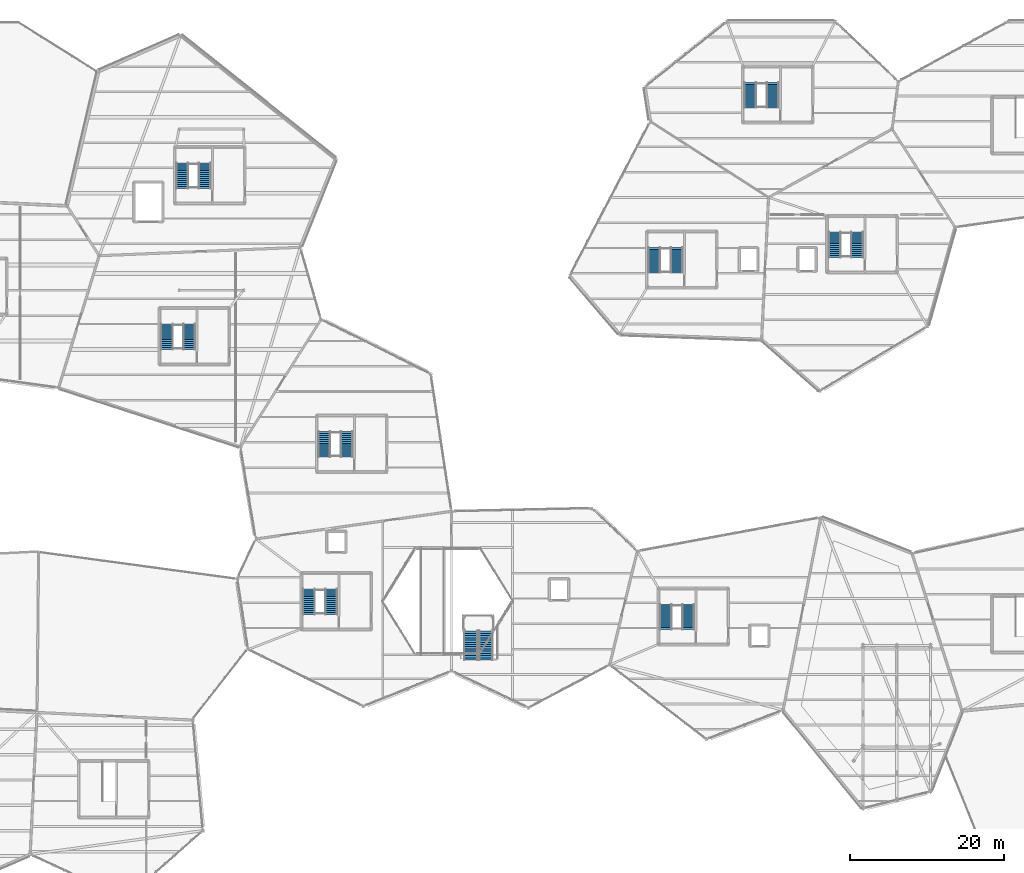
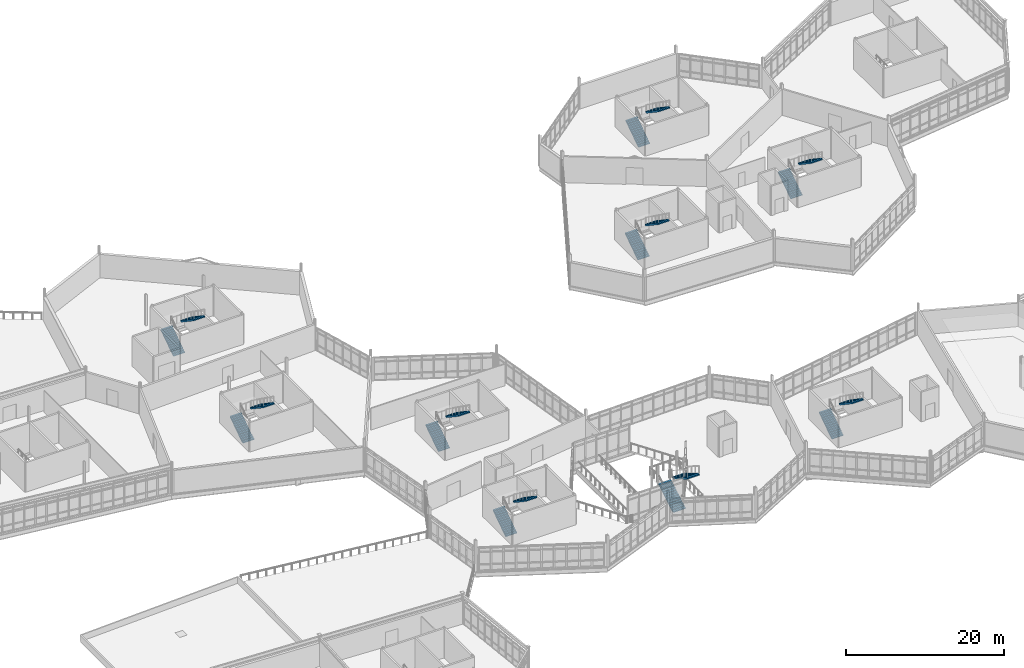
# One storey, part 100 of 114: 18 stair flights, 9 elements without a shape of their own.
"""IFC4 building model written with IfcOpenShell, lengths in metres."""

from ifc_helpers import new_model, si_unit, direction, frame, origin, place, context, subcontext, project, spatial, polyline, outline, extrude, material, type_object, element, aggregate, save


model = new_model("IFC4")

# Units and contexts
model_context = context("Model", 3, precision=1e-05, world=origin(), true_north=direction((0.0, 1.0)))
body_context = subcontext(model_context, "Body", "Model", "MODEL_VIEW")
ifc_project = project(units=[si_unit("LENGTHUNIT", "METRE"), si_unit("AREAUNIT", "SQUARE_METRE"), si_unit("VOLUMEUNIT", "CUBIC_METRE"), si_unit("PLANEANGLEUNIT", "RADIAN"), si_unit("MASSUNIT", "GRAM", prefix="KILO")], contexts=[model_context])

# Site, building, storey
site_placement = place(None, origin())
site = spatial("IfcSite", under=ifc_project, at=site_placement, CompositionType="ELEMENT")
building_placement = place(site_placement, origin())
building = spatial("IfcBuilding", under=site, at=building_placement, Name="Tameran Prism Museum", CompositionType="ELEMENT")
storey_placement = place(building_placement, frame((0.0, 0.0, 10.199951171875)))
storey = spatial("IfcBuildingStorey", under=building, at=storey_placement, Name="L02", CompositionType="ELEMENT", Elevation=10.199951171875)

# Stair, stair flights
ifc_material_1 = material(Name="Concrete N40 (40 MPa)", Category="concrete")
stair_type_1 = type_object("IfcStairType", Name="ST-CORE-48", PredefinedType="HALF_TURN_STAIR", material=ifc_material_1)
stair_1_placement = place(storey_placement, origin())
stair_1 = element("IfcStair", 1, at=stair_1_placement, inside=storey, type_object=stair_type_1, Name="Fire-Isolated Stair ST-01-L02", PredefinedType="HALF_TURN_STAIR")
ifc_material_2 = material(Name="Concrete N40 (40 MPa)", Category="concrete")
stair_flight_type_1 = type_object("IfcStairFlightType", Name="SF-RC-165", PredefinedType="STRAIGHT", material=ifc_material_2)
stair_flight_1_placement = place(storey_placement, frame((103.9150390625, 79.280029296875, 0.0), z_axis=(0.0, 0.0, 1.0), x_axis=(0.0, 1.0, 0.0)))
stair_flight_1 = element("IfcStairFlight", 2, at=stair_flight_1_placement, type_object=stair_flight_type_1, Name="ST-01-L02 flight 1", NumberOfRisers=14, NumberOfTreads=13, PredefinedType="STRAIGHT", RiserHeight=0.171429, TreadLength=0.255, context=body_context, shape_type="SweptSolid", body=[
    extrude(outline(polyline([(0.0, 0.0), (0.0, 0.17138671875), (0.2548828125, 0.17138671875), (0.2548828125, 0.3427734375), (0.510009765625, 0.3427734375), (0.510009765625, 0.514404296875), (0.764892578125, 0.514404296875), (0.764892578125, 0.685791015625), (1.02001953125, 0.685791015625), (1.02001953125, 0.857177734375), (1.27490234375, 0.857177734375), (1.27490234375, 1.028564453125), (1.530029296875, 1.028564453125), (1.530029296875, 1.199951171875), (1.784912109375, 1.199951171875), (1.784912109375, 1.371337890625), (2.0400390625, 1.371337890625), (2.0400390625, 1.54296875), (2.294921875, 1.54296875), (2.294921875, 1.71435546875), (2.550048828125, 1.71435546875), (2.550048828125, 1.8857421875), (2.804931640625, 1.8857421875), (2.804931640625, 2.05712890625), (3.06005859375, 2.05712890625), (3.06005859375, 2.228515625), (3.31494140625, 2.228515625), (3.31494140625, 2.39990234375), (3.31494140625, 2.0478515625), (0.268798828125, 0.0), (0.0, 0.0)])), frame((0.0, 0.824951171875, 0.0), z_axis=(0.0, -1.0, 0.0), x_axis=(1.0, 0.0, 0.0)), (0.0, 0.0, 1.0), 1.64990234375),
])
stair_flight_2_placement = place(storey_placement, frame((106.8349609375, 82.594970703125, 2.400146484375), z_axis=(0.0, 0.0, 1.0), x_axis=(0.0, -1.0, 0.0)))
stair_flight_2 = element("IfcStairFlight", 3, at=stair_flight_2_placement, type_object=stair_flight_type_1, Name="ST-01-L02 flight 2", NumberOfRisers=14, NumberOfTreads=13, PredefinedType="STRAIGHT", RiserHeight=0.171429, TreadLength=0.255, context=body_context, shape_type="SweptSolid", body=[
    extrude(outline(polyline([(0.0, 0.0), (0.0, 0.17138671875), (0.2548828125, 0.17138671875), (0.2548828125, 0.3427734375), (0.510009765625, 0.3427734375), (0.510009765625, 0.514404296875), (0.764892578125, 0.514404296875), (0.764892578125, 0.685791015625), (1.02001953125, 0.685791015625), (1.02001953125, 0.857177734375), (1.27490234375, 0.857177734375), (1.27490234375, 1.028564453125), (1.530029296875, 1.028564453125), (1.530029296875, 1.199951171875), (1.784912109375, 1.199951171875), (1.784912109375, 1.371337890625), (2.0400390625, 1.371337890625), (2.0400390625, 1.54296875), (2.294921875, 1.54296875), (2.294921875, 1.71435546875), (2.550048828125, 1.71435546875), (2.550048828125, 1.8857421875), (2.804931640625, 1.8857421875), (2.804931640625, 2.05712890625), (3.06005859375, 2.05712890625), (3.06005859375, 2.228515625), (3.31494140625, 2.228515625), (3.31494140625, 2.39990234375), (3.31494140625, 2.0478515625), (0.268798828125, 0.0), (0.0, 0.0)])), frame((0.0, 0.824951171875, 0.0), z_axis=(0.0, -1.0, 0.0), x_axis=(1.0, 0.0, 0.0)), (0.0, 0.0, 1.0), 1.64990234375),
])
aggregate(stair_1, [stair_flight_1, stair_flight_2])

stair_2_placement = place(storey_placement, origin())
stair_2 = element("IfcStair", 4, at=stair_2_placement, inside=storey, type_object=stair_type_1, Name="Fire-Isolated Stair ST-02-L02", PredefinedType="HALF_TURN_STAIR")
stair_flight_3_placement = place(storey_placement, frame((127.4150390625, 81.280029296875, 0.0), z_axis=(0.0, 0.0, 1.0), x_axis=(0.0, 1.0, 0.0)))
stair_flight_3 = element("IfcStairFlight", 5, at=stair_flight_3_placement, type_object=stair_flight_type_1, Name="ST-02-L02 flight 1", NumberOfRisers=14, NumberOfTreads=13, PredefinedType="STRAIGHT", RiserHeight=0.171429, TreadLength=0.255, context=body_context, shape_type="SweptSolid", body=[
    extrude(outline(polyline([(0.0, 0.0), (0.0, 0.17138671875), (0.2548828125, 0.17138671875), (0.2548828125, 0.3427734375), (0.510009765625, 0.3427734375), (0.510009765625, 0.514404296875), (0.764892578125, 0.514404296875), (0.764892578125, 0.685791015625), (1.02001953125, 0.685791015625), (1.02001953125, 0.857177734375), (1.27490234375, 0.857177734375), (1.27490234375, 1.028564453125), (1.530029296875, 1.028564453125), (1.530029296875, 1.199951171875), (1.784912109375, 1.199951171875), (1.784912109375, 1.371337890625), (2.0400390625, 1.371337890625), (2.0400390625, 1.54296875), (2.294921875, 1.54296875), (2.294921875, 1.71435546875), (2.550048828125, 1.71435546875), (2.550048828125, 1.8857421875), (2.804931640625, 1.8857421875), (2.804931640625, 2.05712890625), (3.06005859375, 2.05712890625), (3.06005859375, 2.228515625), (3.31494140625, 2.228515625), (3.31494140625, 2.39990234375), (3.31494140625, 2.0478515625), (0.268798828125, 0.0), (0.0, 0.0)])), frame((0.0, 0.824951171875, 0.0), z_axis=(0.0, -1.0, 0.0), x_axis=(1.0, 0.0, 0.0)), (0.0, 0.0, 1.0), 1.64990234375),
])
stair_flight_4_placement = place(storey_placement, frame((130.3349609375, 84.594970703125, 2.400146484375), z_axis=(0.0, 0.0, 1.0), x_axis=(0.0, -1.0, 0.0)))
stair_flight_4 = element("IfcStairFlight", 6, at=stair_flight_4_placement, type_object=stair_flight_type_1, Name="ST-02-L02 flight 2", NumberOfRisers=14, NumberOfTreads=13, PredefinedType="STRAIGHT", RiserHeight=0.171429, TreadLength=0.255, context=body_context, shape_type="SweptSolid", body=[
    extrude(outline(polyline([(0.0, 0.0), (0.0, 0.17138671875), (0.2548828125, 0.17138671875), (0.2548828125, 0.3427734375), (0.510009765625, 0.3427734375), (0.510009765625, 0.514404296875), (0.764892578125, 0.514404296875), (0.764892578125, 0.685791015625), (1.02001953125, 0.685791015625), (1.02001953125, 0.857177734375), (1.27490234375, 0.857177734375), (1.27490234375, 1.028564453125), (1.530029296875, 1.028564453125), (1.530029296875, 1.199951171875), (1.784912109375, 1.199951171875), (1.784912109375, 1.371337890625), (2.0400390625, 1.371337890625), (2.0400390625, 1.54296875), (2.294921875, 1.54296875), (2.294921875, 1.71435546875), (2.550048828125, 1.71435546875), (2.550048828125, 1.8857421875), (2.804931640625, 1.8857421875), (2.804931640625, 2.05712890625), (3.06005859375, 2.05712890625), (3.06005859375, 2.228515625), (3.31494140625, 2.228515625), (3.31494140625, 2.39990234375), (3.31494140625, 2.0478515625), (0.268798828125, 0.0), (0.0, 0.0)])), frame((0.0, 0.824951171875, 0.0), z_axis=(0.0, -1.0, 0.0), x_axis=(1.0, 0.0, 0.0)), (0.0, 0.0, 1.0), 1.64990234375),
])
aggregate(stair_2, [stair_flight_3, stair_flight_4])

stair_3_placement = place(storey_placement, origin())
stair_3 = element("IfcStair", 7, at=stair_3_placement, inside=storey, type_object=stair_type_1, Name="Fire-Isolated Stair ST-07-L02", PredefinedType="HALF_TURN_STAIR")
stair_flight_5_placement = place(storey_placement, frame((116.4150390625, 100.780029296875, 0.0), z_axis=(0.0, 0.0, 1.0), x_axis=(0.0, 1.0, 0.0)))
stair_flight_5 = element("IfcStairFlight", 8, at=stair_flight_5_placement, type_object=stair_flight_type_1, Name="ST-07-L02 flight 1", NumberOfRisers=14, NumberOfTreads=13, PredefinedType="STRAIGHT", RiserHeight=0.171429, TreadLength=0.255, context=body_context, shape_type="SweptSolid", body=[
    extrude(outline(polyline([(0.0, 0.0), (0.0, 0.17138671875), (0.2548828125, 0.17138671875), (0.2548828125, 0.3427734375), (0.510009765625, 0.3427734375), (0.510009765625, 0.514404296875), (0.764892578125, 0.514404296875), (0.764892578125, 0.685791015625), (1.02001953125, 0.685791015625), (1.02001953125, 0.857177734375), (1.27490234375, 0.857177734375), (1.27490234375, 1.028564453125), (1.530029296875, 1.028564453125), (1.530029296875, 1.199951171875), (1.784912109375, 1.199951171875), (1.784912109375, 1.371337890625), (2.0400390625, 1.371337890625), (2.0400390625, 1.54296875), (2.294921875, 1.54296875), (2.294921875, 1.71435546875), (2.550048828125, 1.71435546875), (2.550048828125, 1.8857421875), (2.804931640625, 1.8857421875), (2.804931640625, 2.05712890625), (3.06005859375, 2.05712890625), (3.06005859375, 2.228515625), (3.31494140625, 2.228515625), (3.31494140625, 2.39990234375), (3.31494140625, 2.0478515625), (0.268798828125, 0.0), (0.0, 0.0)])), frame((0.0, 0.824951171875, 0.0), z_axis=(0.0, -1.0, 0.0), x_axis=(1.0, 0.0, 0.0)), (0.0, 0.0, 1.0), 1.64990234375),
])
stair_flight_6_placement = place(storey_placement, frame((119.3349609375, 104.094970703125, 2.400146484375), z_axis=(0.0, 0.0, 1.0), x_axis=(0.0, -1.0, 0.0)))
stair_flight_6 = element("IfcStairFlight", 9, at=stair_flight_6_placement, type_object=stair_flight_type_1, Name="ST-07-L02 flight 2", NumberOfRisers=14, NumberOfTreads=13, PredefinedType="STRAIGHT", RiserHeight=0.171429, TreadLength=0.255, context=body_context, shape_type="SweptSolid", body=[
    extrude(outline(polyline([(0.0, 0.0), (0.0, 0.17138671875), (0.2548828125, 0.17138671875), (0.2548828125, 0.3427734375), (0.510009765625, 0.3427734375), (0.510009765625, 0.514404296875), (0.764892578125, 0.514404296875), (0.764892578125, 0.685791015625), (1.02001953125, 0.685791015625), (1.02001953125, 0.857177734375), (1.27490234375, 0.857177734375), (1.27490234375, 1.028564453125), (1.530029296875, 1.028564453125), (1.530029296875, 1.199951171875), (1.784912109375, 1.199951171875), (1.784912109375, 1.371337890625), (2.0400390625, 1.371337890625), (2.0400390625, 1.54296875), (2.294921875, 1.54296875), (2.294921875, 1.71435546875), (2.550048828125, 1.71435546875), (2.550048828125, 1.8857421875), (2.804931640625, 1.8857421875), (2.804931640625, 2.05712890625), (3.06005859375, 2.05712890625), (3.06005859375, 2.228515625), (3.31494140625, 2.228515625), (3.31494140625, 2.39990234375), (3.31494140625, 2.0478515625), (0.268798828125, 0.0), (0.0, 0.0)])), frame((0.0, 0.824951171875, 0.0), z_axis=(0.0, -1.0, 0.0), x_axis=(1.0, 0.0, 0.0)), (0.0, 0.0, 1.0), 1.64990234375),
])
aggregate(stair_3, [stair_flight_5, stair_flight_6])

stair_4_placement = place(storey_placement, origin())
stair_4 = element("IfcStair", 10, at=stair_4_placement, inside=storey, type_object=stair_type_1, Name="Fire-Isolated Stair ST-03-L02", PredefinedType="HALF_TURN_STAIR")
stair_flight_7_placement = place(storey_placement, frame((58.9150390625, 34.780029296875, 0.0), z_axis=(0.0, 0.0, 1.0), x_axis=(0.0, 1.0, 0.0)))
stair_flight_7 = element("IfcStairFlight", 11, at=stair_flight_7_placement, type_object=stair_flight_type_1, Name="ST-03-L02 flight 1", NumberOfRisers=14, NumberOfTreads=13, PredefinedType="STRAIGHT", RiserHeight=0.171429, TreadLength=0.255, context=body_context, shape_type="SweptSolid", body=[
    extrude(outline(polyline([(0.0, 0.0), (0.0, 0.17138671875), (0.2548828125, 0.17138671875), (0.2548828125, 0.3427734375), (0.510009765625, 0.3427734375), (0.510009765625, 0.514404296875), (0.764892578125, 0.514404296875), (0.764892578125, 0.685791015625), (1.02001953125, 0.685791015625), (1.02001953125, 0.857177734375), (1.27490234375, 0.857177734375), (1.27490234375, 1.028564453125), (1.530029296875, 1.028564453125), (1.530029296875, 1.199951171875), (1.784912109375, 1.199951171875), (1.784912109375, 1.371337890625), (2.0400390625, 1.371337890625), (2.0400390625, 1.54296875), (2.294921875, 1.54296875), (2.294921875, 1.71435546875), (2.550048828125, 1.71435546875), (2.550048828125, 1.8857421875), (2.804931640625, 1.8857421875), (2.804931640625, 2.05712890625), (3.06005859375, 2.05712890625), (3.06005859375, 2.228515625), (3.31494140625, 2.228515625), (3.31494140625, 2.39990234375), (3.31494140625, 2.0478515625), (0.268798828125, 0.0), (0.0, 0.0)])), frame((0.0, 0.824951171875, 0.0), z_axis=(0.0, -1.0, 0.0), x_axis=(1.0, 0.0, 0.0)), (0.0, 0.0, 1.0), 1.64990234375),
])
stair_flight_8_placement = place(storey_placement, frame((61.8349609375, 38.094970703125, 2.400146484375), z_axis=(0.0, 0.0, 1.0), x_axis=(0.0, -1.0, 0.0)))
stair_flight_8 = element("IfcStairFlight", 12, at=stair_flight_8_placement, type_object=stair_flight_type_1, Name="ST-03-L02 flight 2", NumberOfRisers=14, NumberOfTreads=13, PredefinedType="STRAIGHT", RiserHeight=0.171429, TreadLength=0.255, context=body_context, shape_type="SweptSolid", body=[
    extrude(outline(polyline([(0.0, 0.0), (0.0, 0.17138671875), (0.2548828125, 0.17138671875), (0.2548828125, 0.3427734375), (0.510009765625, 0.3427734375), (0.510009765625, 0.514404296875), (0.764892578125, 0.514404296875), (0.764892578125, 0.685791015625), (1.02001953125, 0.685791015625), (1.02001953125, 0.857177734375), (1.27490234375, 0.857177734375), (1.27490234375, 1.028564453125), (1.530029296875, 1.028564453125), (1.530029296875, 1.199951171875), (1.784912109375, 1.199951171875), (1.784912109375, 1.371337890625), (2.0400390625, 1.371337890625), (2.0400390625, 1.54296875), (2.294921875, 1.54296875), (2.294921875, 1.71435546875), (2.550048828125, 1.71435546875), (2.550048828125, 1.8857421875), (2.804931640625, 1.8857421875), (2.804931640625, 2.05712890625), (3.06005859375, 2.05712890625), (3.06005859375, 2.228515625), (3.31494140625, 2.228515625), (3.31494140625, 2.39990234375), (3.31494140625, 2.0478515625), (0.268798828125, 0.0), (0.0, 0.0)])), frame((0.0, 0.824951171875, 0.0), z_axis=(0.0, -1.0, 0.0), x_axis=(1.0, 0.0, 0.0)), (0.0, 0.0, 1.0), 1.64990234375),
])
aggregate(stair_4, [stair_flight_7, stair_flight_8])

stair_5_placement = place(storey_placement, origin())
stair_5 = element("IfcStair", 13, at=stair_5_placement, inside=storey, type_object=stair_type_1, Name="Fire-Isolated Stair ST-08-L02", PredefinedType="HALF_TURN_STAIR")
stair_flight_9_placement = place(storey_placement, frame((60.9150390625, 55.280029296875, 0.0), z_axis=(0.0, 0.0, 1.0), x_axis=(0.0, 1.0, 0.0)))
stair_flight_9 = element("IfcStairFlight", 14, at=stair_flight_9_placement, type_object=stair_flight_type_1, Name="ST-08-L02 flight 1", NumberOfRisers=14, NumberOfTreads=13, PredefinedType="STRAIGHT", RiserHeight=0.171429, TreadLength=0.255, context=body_context, shape_type="SweptSolid", body=[
    extrude(outline(polyline([(0.0, 0.0), (0.0, 0.17138671875), (0.2548828125, 0.17138671875), (0.2548828125, 0.3427734375), (0.510009765625, 0.3427734375), (0.510009765625, 0.514404296875), (0.764892578125, 0.514404296875), (0.764892578125, 0.685791015625), (1.02001953125, 0.685791015625), (1.02001953125, 0.857177734375), (1.27490234375, 0.857177734375), (1.27490234375, 1.028564453125), (1.530029296875, 1.028564453125), (1.530029296875, 1.199951171875), (1.784912109375, 1.199951171875), (1.784912109375, 1.371337890625), (2.0400390625, 1.371337890625), (2.0400390625, 1.54296875), (2.294921875, 1.54296875), (2.294921875, 1.71435546875), (2.550048828125, 1.71435546875), (2.550048828125, 1.8857421875), (2.804931640625, 1.8857421875), (2.804931640625, 2.05712890625), (3.06005859375, 2.05712890625), (3.06005859375, 2.228515625), (3.31494140625, 2.228515625), (3.31494140625, 2.39990234375), (3.31494140625, 2.0478515625), (0.268798828125, 0.0), (0.0, 0.0)])), frame((0.0, 0.824951171875, 0.0), z_axis=(0.0, -1.0, 0.0), x_axis=(1.0, 0.0, 0.0)), (0.0, 0.0, 1.0), 1.64990234375),
])
stair_flight_10_placement = place(storey_placement, frame((63.8349609375, 58.594970703125, 2.400146484375), z_axis=(0.0, 0.0, 1.0), x_axis=(0.0, -1.0, 0.0)))
stair_flight_10 = element("IfcStairFlight", 15, at=stair_flight_10_placement, type_object=stair_flight_type_1, Name="ST-08-L02 flight 2", NumberOfRisers=14, NumberOfTreads=13, PredefinedType="STRAIGHT", RiserHeight=0.171429, TreadLength=0.255, context=body_context, shape_type="SweptSolid", body=[
    extrude(outline(polyline([(0.0, 0.0), (0.0, 0.17138671875), (0.2548828125, 0.17138671875), (0.2548828125, 0.3427734375), (0.510009765625, 0.3427734375), (0.510009765625, 0.514404296875), (0.764892578125, 0.514404296875), (0.764892578125, 0.685791015625), (1.02001953125, 0.685791015625), (1.02001953125, 0.857177734375), (1.27490234375, 0.857177734375), (1.27490234375, 1.028564453125), (1.530029296875, 1.028564453125), (1.530029296875, 1.199951171875), (1.784912109375, 1.199951171875), (1.784912109375, 1.371337890625), (2.0400390625, 1.371337890625), (2.0400390625, 1.54296875), (2.294921875, 1.54296875), (2.294921875, 1.71435546875), (2.550048828125, 1.71435546875), (2.550048828125, 1.8857421875), (2.804931640625, 1.8857421875), (2.804931640625, 2.05712890625), (3.06005859375, 2.05712890625), (3.06005859375, 2.228515625), (3.31494140625, 2.228515625), (3.31494140625, 2.39990234375), (3.31494140625, 2.0478515625), (0.268798828125, 0.0), (0.0, 0.0)])), frame((0.0, 0.824951171875, 0.0), z_axis=(0.0, -1.0, 0.0), x_axis=(1.0, 0.0, 0.0)), (0.0, 0.0, 1.0), 1.64990234375),
])
aggregate(stair_5, [stair_flight_9, stair_flight_10])

stair_6_placement = place(storey_placement, origin())
stair_6 = element("IfcStair", 16, at=stair_6_placement, inside=storey, type_object=stair_type_1, Name="Fire-Isolated Stair ST-04-L02", PredefinedType="HALF_TURN_STAIR")
stair_flight_11_placement = place(storey_placement, frame((105.4150390625, 32.780029296875, 0.0), z_axis=(0.0, 0.0, 1.0), x_axis=(0.0, 1.0, 0.0)))
stair_flight_11 = element("IfcStairFlight", 17, at=stair_flight_11_placement, type_object=stair_flight_type_1, Name="ST-04-L02 flight 1", NumberOfRisers=14, NumberOfTreads=13, PredefinedType="STRAIGHT", RiserHeight=0.171429, TreadLength=0.255, context=body_context, shape_type="SweptSolid", body=[
    extrude(outline(polyline([(0.0, 0.0), (0.0, 0.17138671875), (0.2548828125, 0.17138671875), (0.2548828125, 0.3427734375), (0.510009765625, 0.3427734375), (0.510009765625, 0.514404296875), (0.764892578125, 0.514404296875), (0.764892578125, 0.685791015625), (1.02001953125, 0.685791015625), (1.02001953125, 0.857177734375), (1.27490234375, 0.857177734375), (1.27490234375, 1.028564453125), (1.530029296875, 1.028564453125), (1.530029296875, 1.199951171875), (1.784912109375, 1.199951171875), (1.784912109375, 1.371337890625), (2.0400390625, 1.371337890625), (2.0400390625, 1.54296875), (2.294921875, 1.54296875), (2.294921875, 1.71435546875), (2.550048828125, 1.71435546875), (2.550048828125, 1.8857421875), (2.804931640625, 1.8857421875), (2.804931640625, 2.05712890625), (3.06005859375, 2.05712890625), (3.06005859375, 2.228515625), (3.31494140625, 2.228515625), (3.31494140625, 2.39990234375), (3.31494140625, 2.0478515625), (0.268798828125, 0.0), (0.0, 0.0)])), frame((0.0, 0.824951171875, 0.0), z_axis=(0.0, -1.0, 0.0), x_axis=(1.0, 0.0, 0.0)), (0.0, 0.0, 1.0), 1.64990234375),
])
stair_flight_12_placement = place(storey_placement, frame((108.3349609375, 36.094970703125, 2.400146484375), z_axis=(0.0, 0.0, 1.0), x_axis=(0.0, -1.0, 0.0)))
stair_flight_12 = element("IfcStairFlight", 18, at=stair_flight_12_placement, type_object=stair_flight_type_1, Name="ST-04-L02 flight 2", NumberOfRisers=14, NumberOfTreads=13, PredefinedType="STRAIGHT", RiserHeight=0.171429, TreadLength=0.255, context=body_context, shape_type="SweptSolid", body=[
    extrude(outline(polyline([(0.0, 0.0), (0.0, 0.17138671875), (0.2548828125, 0.17138671875), (0.2548828125, 0.3427734375), (0.510009765625, 0.3427734375), (0.510009765625, 0.514404296875), (0.764892578125, 0.514404296875), (0.764892578125, 0.685791015625), (1.02001953125, 0.685791015625), (1.02001953125, 0.857177734375), (1.27490234375, 0.857177734375), (1.27490234375, 1.028564453125), (1.530029296875, 1.028564453125), (1.530029296875, 1.199951171875), (1.784912109375, 1.199951171875), (1.784912109375, 1.371337890625), (2.0400390625, 1.371337890625), (2.0400390625, 1.54296875), (2.294921875, 1.54296875), (2.294921875, 1.71435546875), (2.550048828125, 1.71435546875), (2.550048828125, 1.8857421875), (2.804931640625, 1.8857421875), (2.804931640625, 2.05712890625), (3.06005859375, 2.05712890625), (3.06005859375, 2.228515625), (3.31494140625, 2.228515625), (3.31494140625, 2.39990234375), (3.31494140625, 2.0478515625), (0.268798828125, 0.0), (0.0, 0.0)])), frame((0.0, 0.824951171875, 0.0), z_axis=(0.0, -1.0, 0.0), x_axis=(1.0, 0.0, 0.0)), (0.0, 0.0, 1.0), 1.64990234375),
])
aggregate(stair_6, [stair_flight_11, stair_flight_12])

stair_7_placement = place(storey_placement, origin())
stair_7 = element("IfcStair", 19, at=stair_7_placement, inside=storey, type_object=stair_type_1, Name="Fire-Isolated Stair ST-05-L02", PredefinedType="HALF_TURN_STAIR")
stair_flight_13_placement = place(storey_placement, frame((40.4150390625, 69.280029296875, 0.0), z_axis=(0.0, 0.0, 1.0), x_axis=(0.0, 1.0, 0.0)))
stair_flight_13 = element("IfcStairFlight", 20, at=stair_flight_13_placement, type_object=stair_flight_type_1, Name="ST-05-L02 flight 1", NumberOfRisers=14, NumberOfTreads=13, PredefinedType="STRAIGHT", RiserHeight=0.171429, TreadLength=0.255, context=body_context, shape_type="SweptSolid", body=[
    extrude(outline(polyline([(0.0, 0.0), (0.0, 0.17138671875), (0.2548828125, 0.17138671875), (0.2548828125, 0.3427734375), (0.510009765625, 0.3427734375), (0.510009765625, 0.514404296875), (0.764892578125, 0.514404296875), (0.764892578125, 0.685791015625), (1.02001953125, 0.685791015625), (1.02001953125, 0.857177734375), (1.27490234375, 0.857177734375), (1.27490234375, 1.028564453125), (1.530029296875, 1.028564453125), (1.530029296875, 1.199951171875), (1.784912109375, 1.199951171875), (1.784912109375, 1.371337890625), (2.0400390625, 1.371337890625), (2.0400390625, 1.54296875), (2.294921875, 1.54296875), (2.294921875, 1.71435546875), (2.550048828125, 1.71435546875), (2.550048828125, 1.8857421875), (2.804931640625, 1.8857421875), (2.804931640625, 2.05712890625), (3.06005859375, 2.05712890625), (3.06005859375, 2.228515625), (3.31494140625, 2.228515625), (3.31494140625, 2.39990234375), (3.31494140625, 2.0478515625), (0.268798828125, 0.0), (0.0, 0.0)])), frame((0.0, 0.824951171875, 0.0), z_axis=(0.0, -1.0, 0.0), x_axis=(1.0, 0.0, 0.0)), (0.0, 0.0, 1.0), 1.64990234375),
])
stair_flight_14_placement = place(storey_placement, frame((43.3349609375, 72.594970703125, 2.400146484375), z_axis=(0.0, 0.0, 1.0), x_axis=(0.0, -1.0, 0.0)))
stair_flight_14 = element("IfcStairFlight", 21, at=stair_flight_14_placement, type_object=stair_flight_type_1, Name="ST-05-L02 flight 2", NumberOfRisers=14, NumberOfTreads=13, PredefinedType="STRAIGHT", RiserHeight=0.171429, TreadLength=0.255, context=body_context, shape_type="SweptSolid", body=[
    extrude(outline(polyline([(0.0, 0.0), (0.0, 0.17138671875), (0.2548828125, 0.17138671875), (0.2548828125, 0.3427734375), (0.510009765625, 0.3427734375), (0.510009765625, 0.514404296875), (0.764892578125, 0.514404296875), (0.764892578125, 0.685791015625), (1.02001953125, 0.685791015625), (1.02001953125, 0.857177734375), (1.27490234375, 0.857177734375), (1.27490234375, 1.028564453125), (1.530029296875, 1.028564453125), (1.530029296875, 1.199951171875), (1.784912109375, 1.199951171875), (1.784912109375, 1.371337890625), (2.0400390625, 1.371337890625), (2.0400390625, 1.54296875), (2.294921875, 1.54296875), (2.294921875, 1.71435546875), (2.550048828125, 1.71435546875), (2.550048828125, 1.8857421875), (2.804931640625, 1.8857421875), (2.804931640625, 2.05712890625), (3.06005859375, 2.05712890625), (3.06005859375, 2.228515625), (3.31494140625, 2.228515625), (3.31494140625, 2.39990234375), (3.31494140625, 2.0478515625), (0.268798828125, 0.0), (0.0, 0.0)])), frame((0.0, 0.824951171875, 0.0), z_axis=(0.0, -1.0, 0.0), x_axis=(1.0, 0.0, 0.0)), (0.0, 0.0, 1.0), 1.64990234375),
])
aggregate(stair_7, [stair_flight_13, stair_flight_14])

stair_8_placement = place(storey_placement, origin())
stair_8 = element("IfcStair", 22, at=stair_8_placement, inside=storey, type_object=stair_type_1, Name="Fire-Isolated Stair ST-14-L02", PredefinedType="HALF_TURN_STAIR")
stair_flight_15_placement = place(storey_placement, frame((42.4150390625, 90.280029296875, 0.0), z_axis=(0.0, 0.0, 1.0), x_axis=(0.0, 1.0, 0.0)))
stair_flight_15 = element("IfcStairFlight", 23, at=stair_flight_15_placement, type_object=stair_flight_type_1, Name="ST-14-L02 flight 1", NumberOfRisers=14, NumberOfTreads=13, PredefinedType="STRAIGHT", RiserHeight=0.171429, TreadLength=0.255, context=body_context, shape_type="SweptSolid", body=[
    extrude(outline(polyline([(0.0, 0.0), (0.0, 0.17138671875), (0.2548828125, 0.17138671875), (0.2548828125, 0.3427734375), (0.510009765625, 0.3427734375), (0.510009765625, 0.514404296875), (0.764892578125, 0.514404296875), (0.764892578125, 0.685791015625), (1.02001953125, 0.685791015625), (1.02001953125, 0.857177734375), (1.27490234375, 0.857177734375), (1.27490234375, 1.028564453125), (1.530029296875, 1.028564453125), (1.530029296875, 1.199951171875), (1.784912109375, 1.199951171875), (1.784912109375, 1.371337890625), (2.0400390625, 1.371337890625), (2.0400390625, 1.54296875), (2.294921875, 1.54296875), (2.294921875, 1.71435546875), (2.550048828125, 1.71435546875), (2.550048828125, 1.8857421875), (2.804931640625, 1.8857421875), (2.804931640625, 2.05712890625), (3.06005859375, 2.05712890625), (3.06005859375, 2.228515625), (3.31494140625, 2.228515625), (3.31494140625, 2.39990234375), (3.31494140625, 2.0478515625), (0.268798828125, 0.0), (0.0, 0.0)])), frame((0.0, 0.824951171875, 0.0), z_axis=(0.0, -1.0, 0.0), x_axis=(1.0, 0.0, 0.0)), (0.0, 0.0, 1.0), 1.64990234375),
])
stair_flight_16_placement = place(storey_placement, frame((45.3349609375, 93.594970703125, 2.400146484375), z_axis=(0.0, 0.0, 1.0), x_axis=(0.0, -1.0, 0.0)))
stair_flight_16 = element("IfcStairFlight", 24, at=stair_flight_16_placement, type_object=stair_flight_type_1, Name="ST-14-L02 flight 2", NumberOfRisers=14, NumberOfTreads=13, PredefinedType="STRAIGHT", RiserHeight=0.171429, TreadLength=0.255, context=body_context, shape_type="SweptSolid", body=[
    extrude(outline(polyline([(0.0, 0.0), (0.0, 0.17138671875), (0.2548828125, 0.17138671875), (0.2548828125, 0.3427734375), (0.510009765625, 0.3427734375), (0.510009765625, 0.514404296875), (0.764892578125, 0.514404296875), (0.764892578125, 0.685791015625), (1.02001953125, 0.685791015625), (1.02001953125, 0.857177734375), (1.27490234375, 0.857177734375), (1.27490234375, 1.028564453125), (1.530029296875, 1.028564453125), (1.530029296875, 1.199951171875), (1.784912109375, 1.199951171875), (1.784912109375, 1.371337890625), (2.0400390625, 1.371337890625), (2.0400390625, 1.54296875), (2.294921875, 1.54296875), (2.294921875, 1.71435546875), (2.550048828125, 1.71435546875), (2.550048828125, 1.8857421875), (2.804931640625, 1.8857421875), (2.804931640625, 2.05712890625), (3.06005859375, 2.05712890625), (3.06005859375, 2.228515625), (3.31494140625, 2.228515625), (3.31494140625, 2.39990234375), (3.31494140625, 2.0478515625), (0.268798828125, 0.0), (0.0, 0.0)])), frame((0.0, 0.824951171875, 0.0), z_axis=(0.0, -1.0, 0.0), x_axis=(1.0, 0.0, 0.0)), (0.0, 0.0, 1.0), 1.64990234375),
])
aggregate(stair_8, [stair_flight_15, stair_flight_16])

ifc_material_3 = material(Name="Steel Grade 350 (350 MPa)", Category="steel")
stair_type_2 = type_object("IfcStairType", Name="ST-ATR-48", PredefinedType="STRAIGHT_RUN_STAIR", material=ifc_material_3)
stair_9_placement = place(storey_placement, origin())
stair_9 = element("IfcStair", 25, at=stair_9_placement, inside=storey, type_object=stair_type_2, Name="Atrium Feature Stair ST-AT3", PredefinedType="STRAIGHT_RUN_STAIR")
ifc_material_4 = material(Name="Steel Grade 350 (350 MPa)", Category="steel")
stair_flight_type_2 = type_object("IfcStairFlightType", Name="SF-STL-180", PredefinedType="STRAIGHT", material=ifc_material_4)
stair_flight_17_placement = place(storey_placement, frame((80.0, 28.820068359375, 0.0), z_axis=(0.0, 0.0, 1.0), x_axis=(0.0, 1.0, 0.0)))
stair_flight_17 = element("IfcStairFlight", 26, at=stair_flight_17_placement, type_object=stair_flight_type_2, Name="ST-AT3 flight 1", NumberOfRisers=14, NumberOfTreads=13, PredefinedType="STRAIGHT", RiserHeight=0.171429, TreadLength=0.29, context=body_context, shape_type="SweptSolid", body=[
    extrude(outline(polyline([(0.0, 0.0), (0.0, 0.17138671875), (0.2900390625, 0.17138671875), (0.2900390625, 0.3427734375), (0.580078125, 0.3427734375), (0.580078125, 0.514404296875), (0.8701171875, 0.514404296875), (0.8701171875, 0.685791015625), (1.159912109375, 0.685791015625), (1.159912109375, 0.857177734375), (1.449951171875, 0.857177734375), (1.449951171875, 1.028564453125), (1.739990234375, 1.028564453125), (1.739990234375, 1.199951171875), (2.030029296875, 1.199951171875), (2.030029296875, 1.371337890625), (2.320068359375, 1.371337890625), (2.320068359375, 1.54296875), (2.610107421875, 1.54296875), (2.610107421875, 1.71435546875), (2.89990234375, 1.71435546875), (2.89990234375, 1.8857421875), (3.18994140625, 1.8857421875), (3.18994140625, 2.05712890625), (3.47998046875, 2.05712890625), (3.47998046875, 2.228515625), (3.77001953125, 2.228515625), (3.77001953125, 2.39990234375), (3.77001953125, 2.054443359375), (0.294677734375, 0.0), (0.0, 0.0)])), frame((0.0, 0.89990234375, 0.0), z_axis=(0.0, -1.0, 0.0), x_axis=(1.0, 0.0, 0.0)), (0.0, 0.0, 1.0), 1.800048828125),
])
stair_flight_18_placement = place(storey_placement, frame((82.0, 32.590087890625, 2.400146484375), z_axis=(0.0, 0.0, 1.0), x_axis=(0.0, -1.0, 0.0)))
stair_flight_18 = element("IfcStairFlight", 27, at=stair_flight_18_placement, type_object=stair_flight_type_2, Name="ST-AT3 flight 2", NumberOfRisers=14, NumberOfTreads=13, PredefinedType="STRAIGHT", RiserHeight=0.171429, TreadLength=0.29, context=body_context, shape_type="SweptSolid", body=[
    extrude(outline(polyline([(0.0, 0.0), (0.0, 0.17138671875), (0.2900390625, 0.17138671875), (0.2900390625, 0.3427734375), (0.580078125, 0.3427734375), (0.580078125, 0.514404296875), (0.8701171875, 0.514404296875), (0.8701171875, 0.685791015625), (1.159912109375, 0.685791015625), (1.159912109375, 0.857177734375), (1.449951171875, 0.857177734375), (1.449951171875, 1.028564453125), (1.739990234375, 1.028564453125), (1.739990234375, 1.199951171875), (2.030029296875, 1.199951171875), (2.030029296875, 1.371337890625), (2.320068359375, 1.371337890625), (2.320068359375, 1.54296875), (2.610107421875, 1.54296875), (2.610107421875, 1.71435546875), (2.89990234375, 1.71435546875), (2.89990234375, 1.8857421875), (3.18994140625, 1.8857421875), (3.18994140625, 2.05712890625), (3.47998046875, 2.05712890625), (3.47998046875, 2.228515625), (3.77001953125, 2.228515625), (3.77001953125, 2.39990234375), (3.77001953125, 2.054443359375), (0.294677734375, 0.0), (0.0, 0.0)])), frame((0.0, 0.89990234375, 0.0), z_axis=(0.0, -1.0, 0.0), x_axis=(1.0, 0.0, 0.0)), (0.0, 0.0, 1.0), 1.800048828125),
])
aggregate(stair_9, [stair_flight_17, stair_flight_18])

save(model, "model.ifc")
